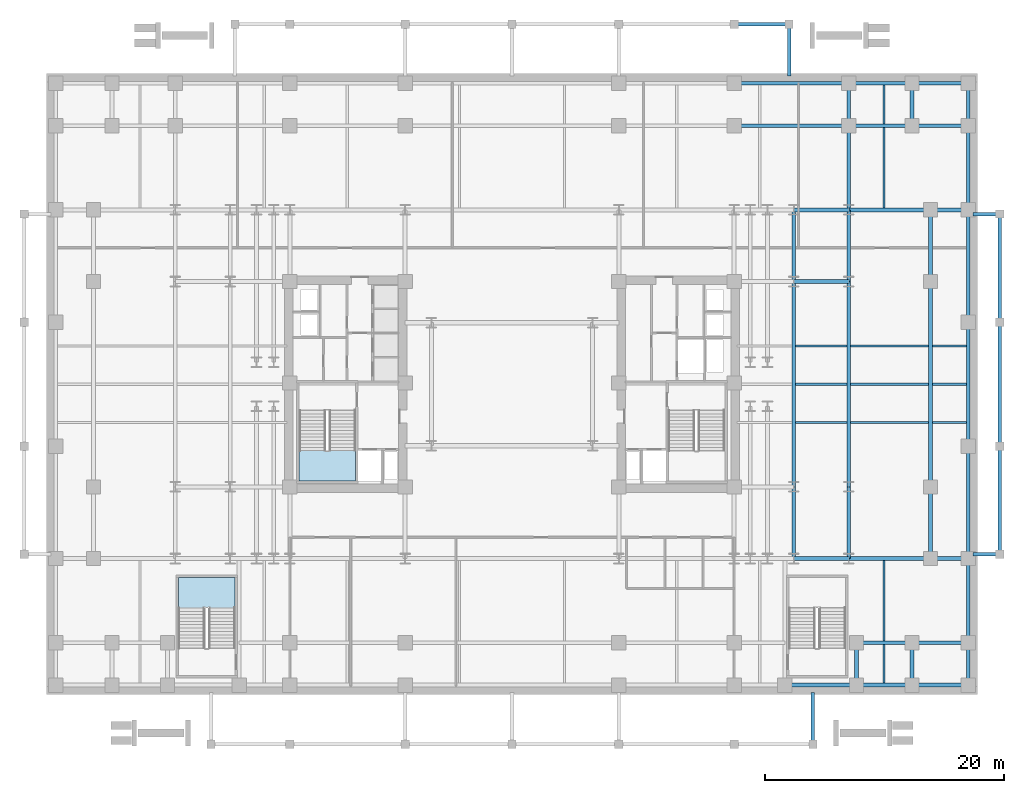
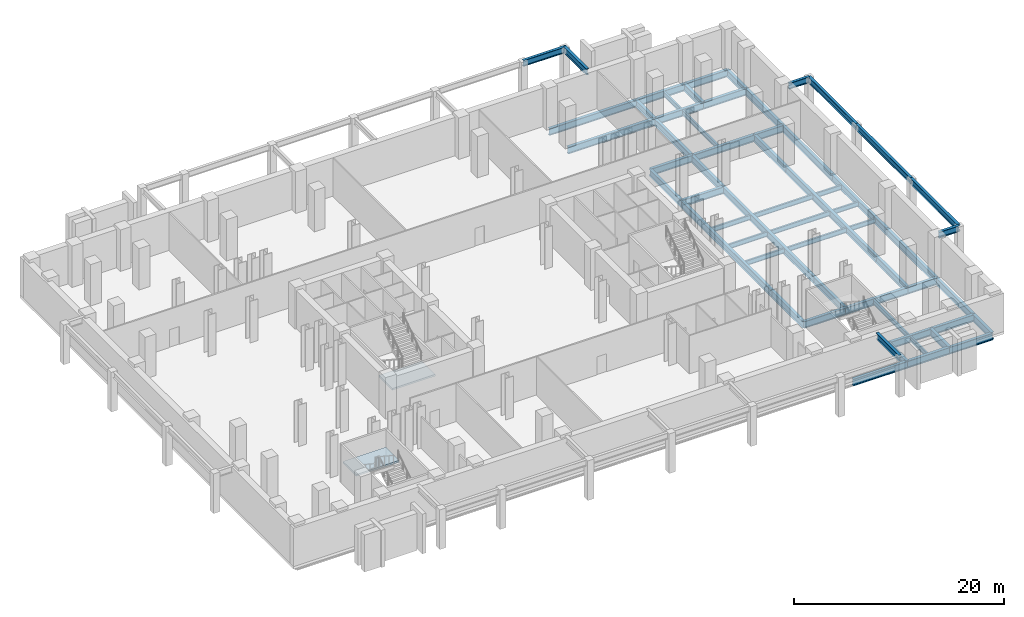
# One storey, part 4 of 13: 60 beams, 2 slabs, 2 elements without a shape of their own.
"""IFC4 building model written with IfcOpenShell, lengths in metres."""

from ifc_helpers import new_model, si_unit, direction, frame, origin, origin_2d, place, context, subcontext, project, spatial, polyline, i_section, outline, extrude, material, layer, layer_set, material_profile, profile_set, type_object, element, aggregate, save


model = new_model("IFC4")

# Units and contexts
model_context = context("Model", 3, precision=1e-05, world=origin(), true_north=direction((0.0, 1.0)))
body_context = subcontext(model_context, "Body", "Model", "MODEL_VIEW")
ifc_project = project(units=[si_unit("LENGTHUNIT", "METRE"), si_unit("AREAUNIT", "SQUARE_METRE"), si_unit("VOLUMEUNIT", "CUBIC_METRE"), si_unit("PLANEANGLEUNIT", "RADIAN"), si_unit("MASSUNIT", "GRAM", prefix="KILO")], contexts=[model_context])

# Site, building, storey
site_placement = place(None, origin())
site = spatial("IfcSite", under=ifc_project, at=site_placement, CompositionType="ELEMENT")
building_placement = place(site_placement, origin())
building = spatial("IfcBuilding", under=site, at=building_placement, Name="Velakula Bourse", CompositionType="ELEMENT")
storey_placement = place(building_placement, frame((0.0, 0.0, -4.800048828125)))
storey = spatial("IfcBuildingStorey", under=building, at=storey_placement, Name="B01", CompositionType="ELEMENT", Elevation=-4.800048828125)

# Beams
ifc_material_1 = material(Name="Steel IS 2062 Grade 350 (E350)", Category="steel")
ifc_material_profile_1 = material_profile(ifc_material_1, i_section(OverallWidth=0.300048828125, OverallDepth=0.699951171875, WebThickness=0.01611328125, FlangeThickness=0.02490234375, at=origin_2d()), Name="Steel IS 2062 Grade 350 (E350)")
ifc_profile_set_1 = profile_set([ifc_material_profile_1], Name="Steel IS 2062 Grade 350 (E350)")
beam_type_1 = type_object("IfcBeamType", Name="BM-POD-700", PredefinedType="BEAM", material=ifc_profile_set_1)
beam_1_placement = place(storey_placement, frame((18.60009765625, 30.14990234375, 4.25), z_axis=(1.0, 0.0, 0.0), x_axis=(0.0, 1.0, 0.0)))
element("IfcBeam", 1, at=beam_1_placement, inside=storey, type_object=beam_type_1, Name="Forecourt Sub-Plaza Support Girder PLZ-N6", PredefinedType="BEAM", context=body_context, shape_type="SweptSolid", body=[
    extrude(i_section(OverallWidth=0.300048828125, OverallDepth=0.699951171875, WebThickness=0.01611328125, FlangeThickness=0.02490234375, at=origin_2d()), origin(), (0.0, 0.0, 1.0), 4.75),
])
for number, where, z_axis, x_axis, name in (
    (2, (25.199951171875, -30.14990234375, 4.25), (0.0, 1.0, 0.0), (-1.0, 0.0, 0.0), "Forecourt Sub-Plaza Support Girder PLZ-CS4"),
    (3, (23.199951171875, 25.800048828125, 4.25), (0.0, 1.0, 0.0), (-1.0, 0.0, 0.0), "Forecourt Sub-Plaza Support Girder PLZ-CN4"),
):
    element("IfcBeam", number, at=place(storey_placement, frame(where, z_axis=z_axis, x_axis=x_axis)), inside=storey, type_object=beam_type_1, Name=name, PredefinedType="BEAM", context=body_context, shape_type="SweptSolid", body=[
        extrude(i_section(OverallWidth=0.300048828125, OverallDepth=0.699951171875, WebThickness=0.01611328125, FlangeThickness=0.02490234375, at=origin_2d()), origin(), (0.0, 0.0, 1.0), 4.349853515625),
    ])
beam_2_placement = place(storey_placement, frame((40.85009765625, -14.25, 4.25), z_axis=(0.0, 1.0, 0.0), x_axis=(-1.0, 0.0, 0.0)))
element("IfcBeam", 4, at=beam_2_placement, inside=storey, type_object=beam_type_1, Name="Forecourt Sub-Plaza Support Girder PLZ-E1", PredefinedType="BEAM", context=body_context, shape_type="SweptSolid", body=[
    extrude(i_section(OverallWidth=0.300048828125, OverallDepth=0.699951171875, WebThickness=0.01611328125, FlangeThickness=0.02490234375, at=origin_2d()), origin(), (0.0, 0.0, 1.0), 9.050048828125),
])
beam_3_placement = place(storey_placement, frame((40.85009765625, -5.199951171875, 4.25), z_axis=(0.0, 1.0, 0.0), x_axis=(-1.0, 0.0, 0.0)))
element("IfcBeam", 5, at=beam_3_placement, inside=storey, type_object=beam_type_1, Name="Forecourt Sub-Plaza Support Girder PLZ-E2", PredefinedType="BEAM", context=body_context, shape_type="SweptSolid", body=[
    extrude(i_section(OverallWidth=0.300048828125, OverallDepth=0.699951171875, WebThickness=0.01611328125, FlangeThickness=0.02490234375, at=origin_2d()), origin(), (0.0, 0.0, 1.0), 10.39990234375),
])
beam_4_placement = place(storey_placement, frame((40.85009765625, 5.199951171875, 4.25), z_axis=(0.0, 1.0, 0.0), x_axis=(-1.0, 0.0, 0.0)))
element("IfcBeam", 6, at=beam_4_placement, inside=storey, type_object=beam_type_1, Name="Forecourt Sub-Plaza Support Girder PLZ-E3", PredefinedType="BEAM", context=body_context, shape_type="SweptSolid", body=[
    extrude(i_section(OverallWidth=0.300048828125, OverallDepth=0.699951171875, WebThickness=0.01611328125, FlangeThickness=0.02490234375, at=origin_2d()), origin(), (0.0, 0.0, 1.0), 9.050048828125),
])
for number, where, z_axis, x_axis, name in (
    (7, (38.60009765625, -14.25, 4.25), (1.0, 0.0, 0.0), (0.0, 1.0, 0.0), "Forecourt Sub-Plaza Support Girder PLZ-CE1"),
    (8, (38.60009765625, 14.25, 4.25), (1.0, 0.0, 0.0), (0.0, 1.0, 0.0), "Forecourt Sub-Plaza Support Girder PLZ-CE2"),
):
    element("IfcBeam", number, at=place(storey_placement, frame(where, z_axis=z_axis, x_axis=x_axis)), inside=storey, type_object=beam_type_1, Name=name, PredefinedType="BEAM", context=body_context, shape_type="SweptSolid", body=[
        extrude(i_section(OverallWidth=0.300048828125, OverallDepth=0.699951171875, WebThickness=0.01611328125, FlangeThickness=0.02490234375, at=origin_2d()), origin(), (0.0, 0.0, 1.0), 2.25),
    ])
ifc_material_profile_2 = material_profile(ifc_material_1, i_section(OverallWidth=0.320068359375, OverallDepth=0.800048828125, WebThickness=0.01806640625, FlangeThickness=0.028076171875, at=origin_2d()), Name="Steel IS 2062 Grade 350 (E350)")
ifc_profile_set_2 = profile_set([ifc_material_profile_2], Name="Steel IS 2062 Grade 350 (E350)")
beam_type_2 = type_object("IfcBeamType", Name="BM-POD-800", PredefinedType="BEAM", material=ifc_profile_set_2)
beam_5_placement = place(storey_placement, frame((23.60009765625, -14.60009765625, -0.699951171875), z_axis=(0.0, 1.0, 0.0), x_axis=(-1.0, 0.0, 0.0)))
element("IfcBeam", 9, at=beam_5_placement, inside=storey, type_object=beam_type_2, Name="B01 Fulcrum Grid Girder MWG-ENS1", PredefinedType="BEAM", context=body_context, shape_type="SweptSolid", body=[
    extrude(i_section(OverallWidth=0.320068359375, OverallDepth=0.800048828125, WebThickness=0.01806640625, FlangeThickness=0.028076171875, at=origin_2d()), origin(), (0.0, 0.0, 1.0), 6.0),
])
beam_6_placement = place(storey_placement, frame((23.60009765625, -8.60009765625, -0.699951171875), z_axis=(0.0, 1.0, 0.0), x_axis=(-1.0, 0.0, 0.0)))
element("IfcBeam", 10, at=beam_6_placement, inside=storey, type_object=beam_type_2, Name="B01 Fulcrum Grid Girder MWG-ENS2", PredefinedType="BEAM", context=body_context, shape_type="SweptSolid", body=[
    extrude(i_section(OverallWidth=0.320068359375, OverallDepth=0.800048828125, WebThickness=0.01806640625, FlangeThickness=0.028076171875, at=origin_2d()), origin(), (0.0, 0.0, 1.0), 17.2001953125),
])
beam_7_placement = place(storey_placement, frame((23.60009765625, 8.60009765625, -0.699951171875), z_axis=(0.0, 1.0, 0.0), x_axis=(-1.0, 0.0, 0.0)))
element("IfcBeam", 11, at=beam_7_placement, inside=storey, type_object=beam_type_2, Name="B01 Fulcrum Grid Girder MWG-ENS3", PredefinedType="BEAM", context=body_context, shape_type="SweptSolid", body=[
    extrude(i_section(OverallWidth=0.320068359375, OverallDepth=0.800048828125, WebThickness=0.01806640625, FlangeThickness=0.028076171875, at=origin_2d()), origin(), (0.0, 0.0, 1.0), 6.0),
])
for number, where, z_axis, x_axis, name in (
    (12, (23.60009765625, -14.60009765625, -0.699951171875), (1.0, 0.0, 0.0), (0.0, 1.0, 0.0), "B01 Fulcrum Grid Girder WNG-ES1"),
    (13, (23.60009765625, 8.60009765625, -0.699951171875), (1.0, 0.0, 0.0), (0.0, 1.0, 0.0), "B01 Fulcrum Grid Girder WNG-EN1"),
    (14, (23.60009765625, 14.60009765625, -0.699951171875), (1.0, 0.0, 0.0), (0.0, 1.0, 0.0), "B01 Fulcrum Grid Girder WNG-EN2"),
):
    element("IfcBeam", number, at=place(storey_placement, frame(where, z_axis=z_axis, x_axis=x_axis)), inside=storey, type_object=beam_type_2, Name=name, PredefinedType="BEAM", context=body_context, shape_type="SweptSolid", body=[
        extrude(i_section(OverallWidth=0.320068359375, OverallDepth=0.800048828125, WebThickness=0.01806640625, FlangeThickness=0.028076171875, at=origin_2d()), origin(), (0.0, 0.0, 1.0), 4.599853515625),
    ])
beam_8_placement = place(storey_placement, frame((28.199951171875, -14.60009765625, -0.699951171875), z_axis=(0.0, 1.0, 0.0), x_axis=(-1.0, 0.0, 0.0)))
element("IfcBeam", 15, at=beam_8_placement, inside=storey, type_object=beam_type_2, Name="B01 Fulcrum Grid Girder WNG-ENS1", PredefinedType="BEAM", context=body_context, shape_type="SweptSolid", body=[
    extrude(i_section(OverallWidth=0.320068359375, OverallDepth=0.800048828125, WebThickness=0.01806640625, FlangeThickness=0.028076171875, at=origin_2d()), origin(), (0.0, 0.0, 1.0), 6.0),
])
beam_9_placement = place(storey_placement, frame((28.199951171875, -8.60009765625, -0.699951171875), z_axis=(0.0, 1.0, 0.0), x_axis=(-1.0, 0.0, 0.0)))
element("IfcBeam", 16, at=beam_9_placement, inside=storey, type_object=beam_type_2, Name="B01 Fulcrum Grid Girder WNG-ENS2", PredefinedType="BEAM", context=body_context, shape_type="SweptSolid", body=[
    extrude(i_section(OverallWidth=0.320068359375, OverallDepth=0.800048828125, WebThickness=0.01806640625, FlangeThickness=0.028076171875, at=origin_2d()), origin(), (0.0, 0.0, 1.0), 17.2001953125),
])
for number, where, z_axis, x_axis, name in (
    (17, (28.199951171875, 8.60009765625, -0.699951171875), (0.0, 1.0, 0.0), (-1.0, 0.0, 0.0), "B01 Fulcrum Grid Girder WNG-ENS3"),
    (18, (22.85009765625, -25.199951171875, -0.699951171875), (1.0, 0.0, 0.0), (0.0, 1.0, 0.0), "B01 Podium E-W Girder 09"),
):
    element("IfcBeam", number, at=place(storey_placement, frame(where, z_axis=z_axis, x_axis=x_axis)), inside=storey, type_object=beam_type_2, Name=name, PredefinedType="BEAM", context=body_context, shape_type="SweptSolid", body=[
        extrude(i_section(OverallWidth=0.320068359375, OverallDepth=0.800048828125, WebThickness=0.01806640625, FlangeThickness=0.028076171875, at=origin_2d()), origin(), (0.0, 0.0, 1.0), 6.0),
    ])
beam_10_placement = place(storey_placement, frame((28.85009765625, -25.199951171875, -0.699951171875), z_axis=(1.0, 0.0, 0.0), x_axis=(0.0, 1.0, 0.0)))
element("IfcBeam", 19, at=beam_10_placement, inside=storey, type_object=beam_type_2, Name="B01 Podium E-W Girder 10", PredefinedType="BEAM", context=body_context, shape_type="SweptSolid", body=[
    extrude(i_section(OverallWidth=0.320068359375, OverallDepth=0.800048828125, WebThickness=0.01806640625, FlangeThickness=0.028076171875, at=origin_2d()), origin(), (0.0, 0.0, 1.0), 4.64990234375),
])
beam_11_placement = place(storey_placement, frame((33.5, -25.199951171875, -0.699951171875), z_axis=(1.0, 0.0, 0.0), x_axis=(0.0, 1.0, 0.0)))
element("IfcBeam", 20, at=beam_11_placement, inside=storey, type_object=beam_type_2, Name="B01 Podium E-W Girder 11", PredefinedType="BEAM", context=body_context, shape_type="SweptSolid", body=[
    extrude(i_section(OverallWidth=0.320068359375, OverallDepth=0.800048828125, WebThickness=0.01806640625, FlangeThickness=0.028076171875, at=origin_2d()), origin(), (0.0, 0.0, 1.0), 4.699951171875),
])
beam_12_placement = place(storey_placement, frame((28.85009765625, -21.64990234375, -0.699951171875), z_axis=(1.0, 0.0, 0.0), x_axis=(0.0, 1.0, 0.0)))
element("IfcBeam", 21, at=beam_12_placement, inside=storey, type_object=beam_type_2, Name="B01 Podium E-W Girder 19", PredefinedType="BEAM", context=body_context, shape_type="SweptSolid", body=[
    extrude(i_section(OverallWidth=0.320068359375, OverallDepth=0.800048828125, WebThickness=0.01806640625, FlangeThickness=0.028076171875, at=origin_2d()), origin(), (0.0, 0.0, 1.0), 4.64990234375),
])
beam_13_placement = place(storey_placement, frame((33.5, -21.64990234375, -0.699951171875), z_axis=(1.0, 0.0, 0.0), x_axis=(0.0, 1.0, 0.0)))
element("IfcBeam", 22, at=beam_13_placement, inside=storey, type_object=beam_type_2, Name="B01 Podium E-W Girder 20", PredefinedType="BEAM", context=body_context, shape_type="SweptSolid", body=[
    extrude(i_section(OverallWidth=0.320068359375, OverallDepth=0.800048828125, WebThickness=0.01806640625, FlangeThickness=0.028076171875, at=origin_2d()), origin(), (0.0, 0.0, 1.0), 4.699951171875),
])
beam_14_placement = place(storey_placement, frame((28.199951171875, -14.60009765625, -0.699951171875), z_axis=(1.0, 0.0, 0.0), x_axis=(0.0, 1.0, 0.0)))
element("IfcBeam", 23, at=beam_14_placement, inside=storey, type_object=beam_type_2, Name="B01 Podium E-W Girder 32", PredefinedType="BEAM", context=body_context, shape_type="SweptSolid", body=[
    extrude(i_section(OverallWidth=0.320068359375, OverallDepth=0.800048828125, WebThickness=0.01806640625, FlangeThickness=0.028076171875, at=origin_2d()), origin(), (0.0, 0.0, 1.0), 6.85009765625),
])
beam_15_placement = place(storey_placement, frame((35.050048828125, -14.60009765625, -0.699951171875), z_axis=(1.0, 0.0, 0.0), x_axis=(0.0, 1.0, 0.0)))
element("IfcBeam", 24, at=beam_15_placement, inside=storey, type_object=beam_type_2, Name="B01 Podium E-W Girder 33", PredefinedType="BEAM", context=body_context, shape_type="SweptSolid", body=[
    extrude(i_section(OverallWidth=0.320068359375, OverallDepth=0.800048828125, WebThickness=0.01806640625, FlangeThickness=0.028076171875, at=origin_2d()), origin(), (0.0, 0.0, 1.0), 3.14990234375),
])
beam_16_placement = place(storey_placement, frame((28.199951171875, 14.60009765625, -0.699951171875), z_axis=(1.0, 0.0, 0.0), x_axis=(0.0, 1.0, 0.0)))
element("IfcBeam", 25, at=beam_16_placement, inside=storey, type_object=beam_type_2, Name="B01 Podium E-W Girder 45", PredefinedType="BEAM", context=body_context, shape_type="SweptSolid", body=[
    extrude(i_section(OverallWidth=0.320068359375, OverallDepth=0.800048828125, WebThickness=0.01806640625, FlangeThickness=0.028076171875, at=origin_2d()), origin(), (0.0, 0.0, 1.0), 6.85009765625),
])
beam_17_placement = place(storey_placement, frame((35.050048828125, 14.60009765625, -0.699951171875), z_axis=(1.0, 0.0, 0.0), x_axis=(0.0, 1.0, 0.0)))
element("IfcBeam", 26, at=beam_17_placement, inside=storey, type_object=beam_type_2, Name="B01 Podium E-W Girder 46", PredefinedType="BEAM", context=body_context, shape_type="SweptSolid", body=[
    extrude(i_section(OverallWidth=0.320068359375, OverallDepth=0.800048828125, WebThickness=0.01806640625, FlangeThickness=0.028076171875, at=origin_2d()), origin(), (0.0, 0.0, 1.0), 3.14990234375),
])
beam_18_placement = place(storey_placement, frame((18.60009765625, 21.64990234375, -0.699951171875), z_axis=(1.0, 0.0, 0.0), x_axis=(0.0, 1.0, 0.0)))
element("IfcBeam", 27, at=beam_18_placement, inside=storey, type_object=beam_type_2, Name="B01 Podium E-W Girder 53", PredefinedType="BEAM", context=body_context, shape_type="SweptSolid", body=[
    extrude(i_section(OverallWidth=0.320068359375, OverallDepth=0.800048828125, WebThickness=0.01806640625, FlangeThickness=0.028076171875, at=origin_2d()), origin(), (0.0, 0.0, 1.0), 9.599853515625),
])
beam_19_placement = place(storey_placement, frame((28.199951171875, 21.64990234375, -0.699951171875), z_axis=(1.0, 0.0, 0.0), x_axis=(0.0, 1.0, 0.0)))
element("IfcBeam", 28, at=beam_19_placement, inside=storey, type_object=beam_type_2, Name="B01 Podium E-W Girder 54", PredefinedType="BEAM", context=body_context, shape_type="SweptSolid", body=[
    extrude(i_section(OverallWidth=0.320068359375, OverallDepth=0.800048828125, WebThickness=0.01806640625, FlangeThickness=0.028076171875, at=origin_2d()), origin(), (0.0, 0.0, 1.0), 5.300048828125),
])
beam_20_placement = place(storey_placement, frame((33.5, 21.64990234375, -0.699951171875), z_axis=(1.0, 0.0, 0.0), x_axis=(0.0, 1.0, 0.0)))
element("IfcBeam", 29, at=beam_20_placement, inside=storey, type_object=beam_type_2, Name="B01 Podium E-W Girder 55", PredefinedType="BEAM", context=body_context, shape_type="SweptSolid", body=[
    extrude(i_section(OverallWidth=0.320068359375, OverallDepth=0.800048828125, WebThickness=0.01806640625, FlangeThickness=0.028076171875, at=origin_2d()), origin(), (0.0, 0.0, 1.0), 4.699951171875),
])
beam_21_placement = place(storey_placement, frame((18.60009765625, 25.199951171875, -0.699951171875), z_axis=(1.0, 0.0, 0.0), x_axis=(0.0, 1.0, 0.0)))
element("IfcBeam", 30, at=beam_21_placement, inside=storey, type_object=beam_type_2, Name="B01 Podium E-W Girder 62", PredefinedType="BEAM", context=body_context, shape_type="SweptSolid", body=[
    extrude(i_section(OverallWidth=0.320068359375, OverallDepth=0.800048828125, WebThickness=0.01806640625, FlangeThickness=0.028076171875, at=origin_2d()), origin(), (0.0, 0.0, 1.0), 9.599853515625),
])
beam_22_placement = place(storey_placement, frame((28.199951171875, 25.199951171875, -0.699951171875), z_axis=(1.0, 0.0, 0.0), x_axis=(0.0, 1.0, 0.0)))
element("IfcBeam", 31, at=beam_22_placement, inside=storey, type_object=beam_type_2, Name="B01 Podium E-W Girder 63", PredefinedType="BEAM", context=body_context, shape_type="SweptSolid", body=[
    extrude(i_section(OverallWidth=0.320068359375, OverallDepth=0.800048828125, WebThickness=0.01806640625, FlangeThickness=0.028076171875, at=origin_2d()), origin(), (0.0, 0.0, 1.0), 5.300048828125),
])
beam_23_placement = place(storey_placement, frame((33.5, 25.199951171875, -0.699951171875), z_axis=(1.0, 0.0, 0.0), x_axis=(0.0, 1.0, 0.0)))
element("IfcBeam", 32, at=beam_23_placement, inside=storey, type_object=beam_type_2, Name="B01 Podium E-W Girder 64", PredefinedType="BEAM", context=body_context, shape_type="SweptSolid", body=[
    extrude(i_section(OverallWidth=0.320068359375, OverallDepth=0.800048828125, WebThickness=0.01806640625, FlangeThickness=0.028076171875, at=origin_2d()), origin(), (0.0, 0.0, 1.0), 4.699951171875),
])
beam_24_placement = place(storey_placement, frame((28.199951171875, 14.60009765625, -0.699951171875), z_axis=(0.0, 1.0, 0.0), x_axis=(-1.0, 0.0, 0.0)))
element("IfcBeam", 33, at=beam_24_placement, inside=storey, type_object=beam_type_2, Name="B01 Podium N-S Girder 85", PredefinedType="BEAM", context=body_context, shape_type="SweptSolid", body=[
    extrude(i_section(OverallWidth=0.320068359375, OverallDepth=0.800048828125, WebThickness=0.01806640625, FlangeThickness=0.028076171875, at=origin_2d()), origin(), (0.0, 0.0, 1.0), 7.0498046875),
])
for number, where, z_axis, x_axis, name in (
    (34, (28.199951171875, 21.64990234375, -0.699951171875), (0.0, 1.0, 0.0), (-1.0, 0.0, 0.0), "B01 Podium N-S Girder 86"),
    (35, (28.85009765625, -25.199951171875, -0.699951171875), (0.0, 1.0, 0.0), (-1.0, 0.0, 0.0), "B01 Podium N-S Girder 87"),
    (36, (33.5, -25.199951171875, -0.699951171875), (0.0, 1.0, 0.0), (-1.0, 0.0, 0.0), "B01 Podium N-S Girder 88"),
):
    element("IfcBeam", number, at=place(storey_placement, frame(where, z_axis=z_axis, x_axis=x_axis)), inside=storey, type_object=beam_type_2, Name=name, PredefinedType="BEAM", context=body_context, shape_type="SweptSolid", body=[
        extrude(i_section(OverallWidth=0.320068359375, OverallDepth=0.800048828125, WebThickness=0.01806640625, FlangeThickness=0.028076171875, at=origin_2d()), origin(), (0.0, 0.0, 1.0), 3.550048828125),
    ])
beam_25_placement = place(storey_placement, frame((35.050048828125, -14.60009765625, -0.699951171875), z_axis=(0.0, 1.0, 0.0), x_axis=(-1.0, 0.0, 0.0)))
element("IfcBeam", 37, at=beam_25_placement, inside=storey, type_object=beam_type_2, Name="B01 Podium N-S Girder 89", PredefinedType="BEAM", context=body_context, shape_type="SweptSolid", body=[
    extrude(i_section(OverallWidth=0.320068359375, OverallDepth=0.800048828125, WebThickness=0.01806640625, FlangeThickness=0.028076171875, at=origin_2d()), origin(), (0.0, 0.0, 1.0), 6.0),
])
beam_26_placement = place(storey_placement, frame((35.050048828125, -8.60009765625, -0.699951171875), z_axis=(0.0, 1.0, 0.0), x_axis=(-1.0, 0.0, 0.0)))
element("IfcBeam", 38, at=beam_26_placement, inside=storey, type_object=beam_type_2, Name="B01 Podium N-S Girder 90", PredefinedType="BEAM", context=body_context, shape_type="SweptSolid", body=[
    extrude(i_section(OverallWidth=0.320068359375, OverallDepth=0.800048828125, WebThickness=0.01806640625, FlangeThickness=0.028076171875, at=origin_2d()), origin(), (0.0, 0.0, 1.0), 17.2001953125),
])
beam_27_placement = place(storey_placement, frame((35.050048828125, 8.60009765625, -0.699951171875), z_axis=(0.0, 1.0, 0.0), x_axis=(-1.0, 0.0, 0.0)))
element("IfcBeam", 39, at=beam_27_placement, inside=storey, type_object=beam_type_2, Name="B01 Podium N-S Girder 91", PredefinedType="BEAM", context=body_context, shape_type="SweptSolid", body=[
    extrude(i_section(OverallWidth=0.320068359375, OverallDepth=0.800048828125, WebThickness=0.01806640625, FlangeThickness=0.028076171875, at=origin_2d()), origin(), (0.0, 0.0, 1.0), 6.0),
])
beam_28_placement = place(storey_placement, frame((38.199951171875, -25.199951171875, -0.699951171875), z_axis=(0.0, 1.0, 0.0), x_axis=(-1.0, 0.0, 0.0)))
element("IfcBeam", 40, at=beam_28_placement, inside=storey, type_object=beam_type_2, Name="B01 Podium N-S Girder 92", PredefinedType="BEAM", context=body_context, shape_type="SweptSolid", body=[
    extrude(i_section(OverallWidth=0.320068359375, OverallDepth=0.800048828125, WebThickness=0.01806640625, FlangeThickness=0.028076171875, at=origin_2d()), origin(), (0.0, 0.0, 1.0), 3.550048828125),
])
beam_29_placement = place(storey_placement, frame((38.199951171875, -21.64990234375, -0.699951171875), z_axis=(0.0, 1.0, 0.0), x_axis=(-1.0, 0.0, 0.0)))
element("IfcBeam", 41, at=beam_29_placement, inside=storey, type_object=beam_type_2, Name="B01 Podium N-S Girder 93", PredefinedType="BEAM", context=body_context, shape_type="SweptSolid", body=[
    extrude(i_section(OverallWidth=0.320068359375, OverallDepth=0.800048828125, WebThickness=0.01806640625, FlangeThickness=0.028076171875, at=origin_2d()), origin(), (0.0, 0.0, 1.0), 7.0498046875),
])
beam_30_placement = place(storey_placement, frame((38.199951171875, -14.60009765625, -0.699951171875), z_axis=(0.0, 1.0, 0.0), x_axis=(-1.0, 0.0, 0.0)))
element("IfcBeam", 42, at=beam_30_placement, inside=storey, type_object=beam_type_2, Name="B01 Podium N-S Girder 94", PredefinedType="BEAM", context=body_context, shape_type="SweptSolid", body=[
    extrude(i_section(OverallWidth=0.320068359375, OverallDepth=0.800048828125, WebThickness=0.01806640625, FlangeThickness=0.028076171875, at=origin_2d()), origin(), (0.0, 0.0, 1.0), 9.400146484375),
])
beam_31_placement = place(storey_placement, frame((38.199951171875, -5.199951171875, -0.699951171875), z_axis=(0.0, 1.0, 0.0), x_axis=(-1.0, 0.0, 0.0)))
element("IfcBeam", 43, at=beam_31_placement, inside=storey, type_object=beam_type_2, Name="B01 Podium N-S Girder 95", PredefinedType="BEAM", context=body_context, shape_type="SweptSolid", body=[
    extrude(i_section(OverallWidth=0.320068359375, OverallDepth=0.800048828125, WebThickness=0.01806640625, FlangeThickness=0.028076171875, at=origin_2d()), origin(), (0.0, 0.0, 1.0), 10.39990234375),
])
beam_32_placement = place(storey_placement, frame((38.199951171875, 5.199951171875, -0.699951171875), z_axis=(0.0, 1.0, 0.0), x_axis=(-1.0, 0.0, 0.0)))
element("IfcBeam", 44, at=beam_32_placement, inside=storey, type_object=beam_type_2, Name="B01 Podium N-S Girder 96", PredefinedType="BEAM", context=body_context, shape_type="SweptSolid", body=[
    extrude(i_section(OverallWidth=0.320068359375, OverallDepth=0.800048828125, WebThickness=0.01806640625, FlangeThickness=0.028076171875, at=origin_2d()), origin(), (0.0, 0.0, 1.0), 9.400146484375),
])
beam_33_placement = place(storey_placement, frame((38.199951171875, 14.60009765625, -0.699951171875), z_axis=(0.0, 1.0, 0.0), x_axis=(-1.0, 0.0, 0.0)))
element("IfcBeam", 45, at=beam_33_placement, inside=storey, type_object=beam_type_2, Name="B01 Podium N-S Girder 97", PredefinedType="BEAM", context=body_context, shape_type="SweptSolid", body=[
    extrude(i_section(OverallWidth=0.320068359375, OverallDepth=0.800048828125, WebThickness=0.01806640625, FlangeThickness=0.028076171875, at=origin_2d()), origin(), (0.0, 0.0, 1.0), 7.0498046875),
])
for number, where, z_axis, x_axis, name in (
    (46, (38.199951171875, 21.64990234375, -0.699951171875), (0.0, 1.0, 0.0), (-1.0, 0.0, 0.0), "B01 Podium N-S Girder 98"),
    (47, (33.5, 21.64990234375, -0.699951171875), (0.0, 1.0, 0.0), (-1.0, 0.0, 0.0), "B01 Podium N-S Girder 100"),
):
    element("IfcBeam", number, at=place(storey_placement, frame(where, z_axis=z_axis, x_axis=x_axis)), inside=storey, type_object=beam_type_2, Name=name, PredefinedType="BEAM", context=body_context, shape_type="SweptSolid", body=[
        extrude(i_section(OverallWidth=0.320068359375, OverallDepth=0.800048828125, WebThickness=0.01806640625, FlangeThickness=0.028076171875, at=origin_2d()), origin(), (0.0, 0.0, 1.0), 3.550048828125),
    ])
ifc_material_profile_3 = material_profile(ifc_material_1, i_section(OverallWidth=0.18994140625, OverallDepth=0.550048828125, WebThickness=0.01123046875, FlangeThickness=0.019287109375, at=origin_2d()), Name="Steel IS 2062 Grade 350 (E350)")
ifc_profile_set_3 = profile_set([ifc_material_profile_3], Name="Steel IS 2062 Grade 350 (E350)")
beam_type_3 = type_object("IfcBeamType", Name="JST-POD-550", PredefinedType="JOIST", material=ifc_profile_set_3)
beam_34_placement = place(storey_placement, frame((31.14990234375, -25.0400390625, -0.574951171875), z_axis=(0.0, 1.0, 0.0), x_axis=(-1.0, 0.0, 0.0)))
element("IfcBeam", 48, at=beam_34_placement, inside=storey, type_object=beam_type_3, Name="B01 Station Podium Floor Joist 29", PredefinedType="JOIST", context=body_context, shape_type="SweptSolid", body=[
    extrude(i_section(OverallWidth=0.18994140625, OverallDepth=0.550048828125, WebThickness=0.01123046875, FlangeThickness=0.019287109375, at=origin_2d()), origin(), (0.0, 0.0, 1.0), 3.22998046875),
])
for number, where, z_axis, x_axis, name in (
    (49, (31.14990234375, -21.489990234375, -0.574951171875), (0.0, 1.0, 0.0), (-1.0, 0.0, 0.0), "B01 Station Podium Floor Joist 30"),
    (50, (31.14990234375, 14.760009765625, -0.574951171875), (0.0, 1.0, 0.0), (-1.0, 0.0, 0.0), "B01 Station Podium Floor Joist 31"),
):
    element("IfcBeam", number, at=place(storey_placement, frame(where, z_axis=z_axis, x_axis=x_axis)), inside=storey, type_object=beam_type_3, Name=name, PredefinedType="JOIST", context=body_context, shape_type="SweptSolid", body=[
        extrude(i_section(OverallWidth=0.18994140625, OverallDepth=0.550048828125, WebThickness=0.01123046875, FlangeThickness=0.019287109375, at=origin_2d()), origin(), (0.0, 0.0, 1.0), 6.72998046875),
    ])
beam_35_placement = place(storey_placement, frame((31.14990234375, 21.81005859375, -0.574951171875), z_axis=(0.0, 1.0, 0.0), x_axis=(-1.0, 0.0, 0.0)))
element("IfcBeam", 51, at=beam_35_placement, inside=storey, type_object=beam_type_3, Name="B01 Station Podium Floor Joist 32", PredefinedType="JOIST", context=body_context, shape_type="SweptSolid", body=[
    extrude(i_section(OverallWidth=0.18994140625, OverallDepth=0.550048828125, WebThickness=0.01123046875, FlangeThickness=0.019287109375, at=origin_2d()), origin(), (0.0, 0.0, 1.0), 3.22998046875),
])
beam_36_placement = place(storey_placement, frame((23.760009765625, -3.199951171875, -0.574951171875), z_axis=(1.0, 0.0, 0.0), x_axis=(0.0, 1.0, 0.0)))
element("IfcBeam", 52, at=beam_36_placement, inside=storey, type_object=beam_type_3, Name="B01 Station Wing Floor Joist 38", PredefinedType="JOIST", context=body_context, shape_type="SweptSolid", body=[
    extrude(i_section(OverallWidth=0.18994140625, OverallDepth=0.550048828125, WebThickness=0.01123046875, FlangeThickness=0.019287109375, at=origin_2d()), origin(), (0.0, 0.0, 1.0), 4.280029296875),
])
beam_37_placement = place(storey_placement, frame((28.360107421875, -3.199951171875, -0.574951171875), z_axis=(1.0, 0.0, 0.0), x_axis=(0.0, 1.0, 0.0)))
element("IfcBeam", 53, at=beam_37_placement, inside=storey, type_object=beam_type_3, Name="B01 Station Wing Floor Joist 39", PredefinedType="JOIST", context=body_context, shape_type="SweptSolid", body=[
    extrude(i_section(OverallWidth=0.18994140625, OverallDepth=0.550048828125, WebThickness=0.01123046875, FlangeThickness=0.019287109375, at=origin_2d()), origin(), (0.0, 0.0, 1.0), 6.52978515625),
])
beam_38_placement = place(storey_placement, frame((35.2099609375, -3.199951171875, -0.574951171875), z_axis=(1.0, 0.0, 0.0), x_axis=(0.0, 1.0, 0.0)))
element("IfcBeam", 54, at=beam_38_placement, inside=storey, type_object=beam_type_3, Name="B01 Station Wing Floor Joist 40", PredefinedType="JOIST", context=body_context, shape_type="SweptSolid", body=[
    extrude(i_section(OverallWidth=0.18994140625, OverallDepth=0.550048828125, WebThickness=0.01123046875, FlangeThickness=0.019287109375, at=origin_2d()), origin(), (0.0, 0.0, 1.0), 2.830078125),
])
beam_39_placement = place(storey_placement, frame((23.760009765625, 0.0, -0.574951171875), z_axis=(1.0, 0.0, 0.0), x_axis=(0.0, 1.0, 0.0)))
element("IfcBeam", 55, at=beam_39_placement, inside=storey, type_object=beam_type_3, Name="B01 Station Wing Floor Joist 46", PredefinedType="JOIST", context=body_context, shape_type="SweptSolid", body=[
    extrude(i_section(OverallWidth=0.18994140625, OverallDepth=0.550048828125, WebThickness=0.01123046875, FlangeThickness=0.019287109375, at=origin_2d()), origin(), (0.0, 0.0, 1.0), 4.280029296875),
])
beam_40_placement = place(storey_placement, frame((28.360107421875, 0.0, -0.574951171875), z_axis=(1.0, 0.0, 0.0), x_axis=(0.0, 1.0, 0.0)))
element("IfcBeam", 56, at=beam_40_placement, inside=storey, type_object=beam_type_3, Name="B01 Station Wing Floor Joist 47", PredefinedType="JOIST", context=body_context, shape_type="SweptSolid", body=[
    extrude(i_section(OverallWidth=0.18994140625, OverallDepth=0.550048828125, WebThickness=0.01123046875, FlangeThickness=0.019287109375, at=origin_2d()), origin(), (0.0, 0.0, 1.0), 6.52978515625),
])
beam_41_placement = place(storey_placement, frame((35.2099609375, 0.0, -0.574951171875), z_axis=(1.0, 0.0, 0.0), x_axis=(0.0, 1.0, 0.0)))
element("IfcBeam", 57, at=beam_41_placement, inside=storey, type_object=beam_type_3, Name="B01 Station Wing Floor Joist 48", PredefinedType="JOIST", context=body_context, shape_type="SweptSolid", body=[
    extrude(i_section(OverallWidth=0.18994140625, OverallDepth=0.550048828125, WebThickness=0.01123046875, FlangeThickness=0.019287109375, at=origin_2d()), origin(), (0.0, 0.0, 1.0), 2.830078125),
])
beam_42_placement = place(storey_placement, frame((23.760009765625, 3.199951171875, -0.574951171875), z_axis=(1.0, 0.0, 0.0), x_axis=(0.0, 1.0, 0.0)))
element("IfcBeam", 58, at=beam_42_placement, inside=storey, type_object=beam_type_3, Name="B01 Station Wing Floor Joist 54", PredefinedType="JOIST", context=body_context, shape_type="SweptSolid", body=[
    extrude(i_section(OverallWidth=0.18994140625, OverallDepth=0.550048828125, WebThickness=0.01123046875, FlangeThickness=0.019287109375, at=origin_2d()), origin(), (0.0, 0.0, 1.0), 4.280029296875),
])
beam_43_placement = place(storey_placement, frame((28.360107421875, 3.199951171875, -0.574951171875), z_axis=(1.0, 0.0, 0.0), x_axis=(0.0, 1.0, 0.0)))
element("IfcBeam", 59, at=beam_43_placement, inside=storey, type_object=beam_type_3, Name="B01 Station Wing Floor Joist 55", PredefinedType="JOIST", context=body_context, shape_type="SweptSolid", body=[
    extrude(i_section(OverallWidth=0.18994140625, OverallDepth=0.550048828125, WebThickness=0.01123046875, FlangeThickness=0.019287109375, at=origin_2d()), origin(), (0.0, 0.0, 1.0), 6.52978515625),
])
beam_44_placement = place(storey_placement, frame((35.2099609375, 3.199951171875, -0.574951171875), z_axis=(1.0, 0.0, 0.0), x_axis=(0.0, 1.0, 0.0)))
element("IfcBeam", 60, at=beam_44_placement, inside=storey, type_object=beam_type_3, Name="B01 Station Wing Floor Joist 56", PredefinedType="JOIST", context=body_context, shape_type="SweptSolid", body=[
    extrude(i_section(OverallWidth=0.18994140625, OverallDepth=0.550048828125, WebThickness=0.01123046875, FlangeThickness=0.019287109375, at=origin_2d()), origin(), (0.0, 0.0, 1.0), 2.830078125),
])

# Stair, slab
ifc_material_2 = material(Name="Concrete M45 (fck 45 MPa)", Category="concrete")
stair_type = type_object("IfcStairType", Name="STR-DOG-480", PredefinedType="HALF_TURN_STAIR", material=ifc_material_2)
stair_1_placement = place(storey_placement, origin())
stair_1 = element("IfcStair", 61, at=stair_1_placement, inside=storey, type_object=stair_type, Name="B01 West Core Exit Stair ST-W1", PredefinedType="HALF_TURN_STAIR")
ifc_layer = layer(ifc_material_2, 0.199951171875, Name="Concrete M45 (fck 45 MPa)", Category="concrete")
ifc_layer_set = layer_set([ifc_layer], Name="Concrete M45 (fck 45 MPa)")
slab_type = type_object("IfcSlabType", Name="SLB-STAIR-LND-200", PredefinedType="LANDING", material=ifc_layer_set)
slab_1_placement = place(storey_placement, frame((0.0, 0.0, 2.199951171875)))
slab_1 = element("IfcSlab", 62, at=slab_1_placement, type_object=slab_type, Name="ST-W1 landing 1", PredefinedType="LANDING", context=body_context, shape_type="SweptSolid", body=[
    extrude(outline(polyline([(-17.820068359375, -5.56005859375), (-17.820068359375, -8.10009765625), (-13.10009765625, -8.10009765625), (-13.10009765625, -5.56005859375), (-17.820068359375, -5.56005859375)])), origin(), (0.0, 0.0, 1.0), 0.2001953125),
])
aggregate(stair_1, [slab_1])

stair_2_placement = place(storey_placement, origin())
stair_2 = element("IfcStair", 63, at=stair_2_placement, inside=storey, type_object=stair_type, Name="B01 West Podium Exit Stair ST-P1", PredefinedType="HALF_TURN_STAIR")
slab_2_placement = place(storey_placement, frame((0.0, 0.0, 2.199951171875)))
slab_2 = element("IfcSlab", 64, at=slab_2_placement, type_object=slab_type, Name="ST-P1 landing 1", PredefinedType="LANDING", context=body_context, shape_type="SweptSolid", body=[
    extrude(outline(polyline([(-23.199951171875, -18.739990234375), (-23.199951171875, -16.199951171875), (-27.919921875, -16.199951171875), (-27.919921875, -18.739990234375), (-23.199951171875, -18.739990234375)])), origin(), (0.0, 0.0, 1.0), 0.2001953125),
])
aggregate(stair_2, [slab_2])

save(model, "model.ifc")
